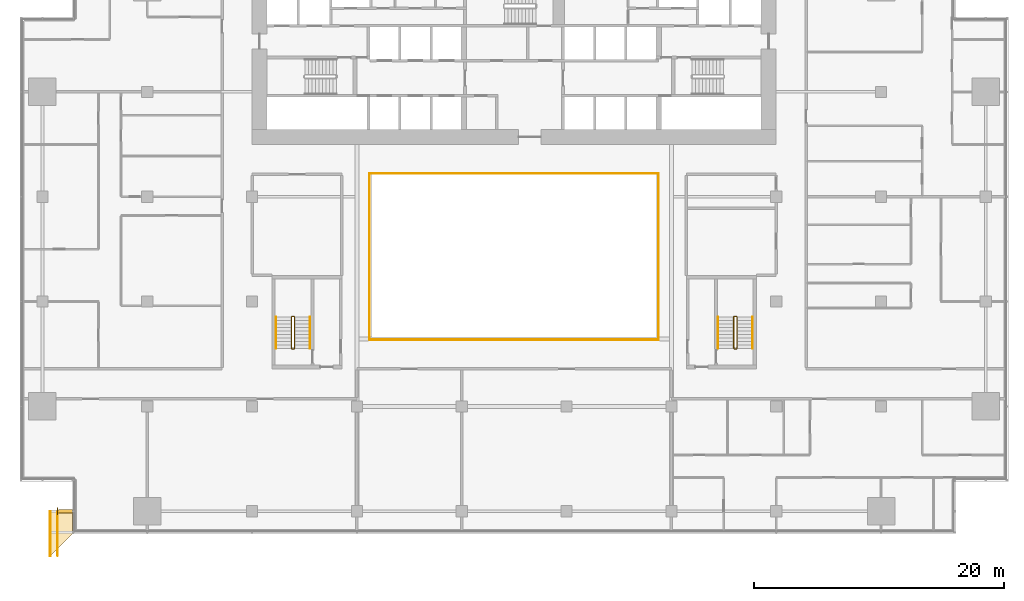
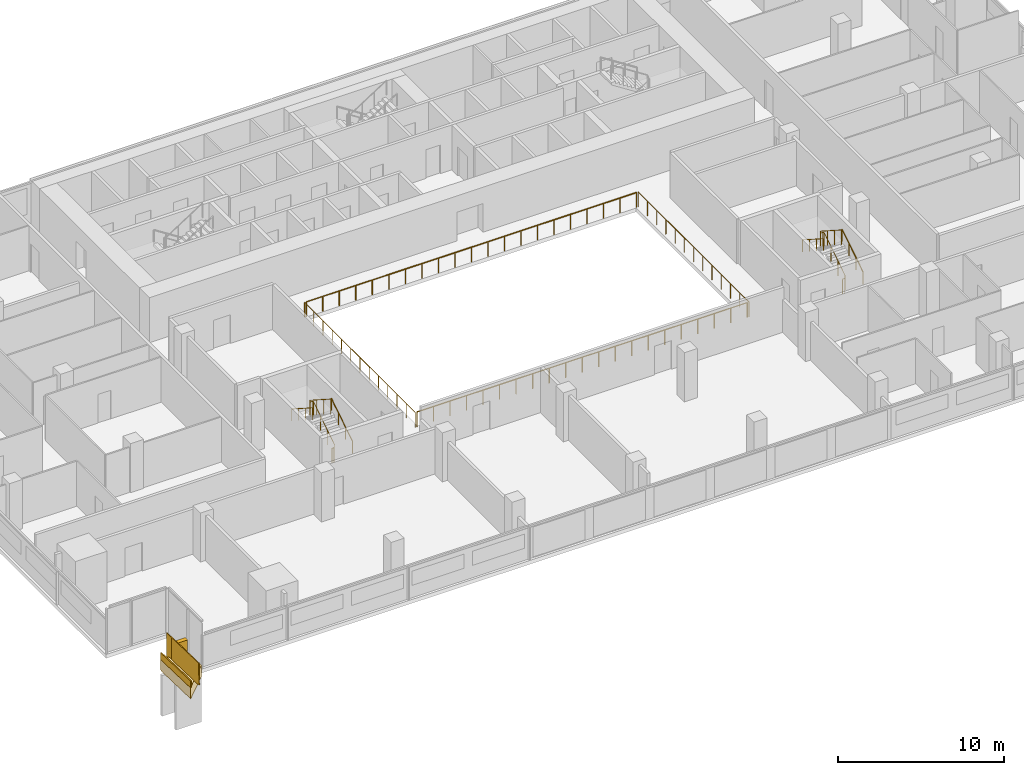
# One storey, part 24 of 25: 12 railings, 3 coverings.
"""IFC4 building model written with IfcOpenShell, lengths in metres."""

from ifc_helpers import new_model, si_unit, direction, frame, origin, origin_2d, place, context, subcontext, project, spatial, polyline, rectangle, circle, outline, extrude, material, layer, layer_set, type_object, element, save


model = new_model("IFC4")

# Units and contexts
model_context = context("Model", 3, precision=1e-05, world=origin(), true_north=direction((0.0, 1.0)))
body_context = subcontext(model_context, "Body", "Model", "MODEL_VIEW")
ifc_project = project(units=[si_unit("LENGTHUNIT", "METRE"), si_unit("AREAUNIT", "SQUARE_METRE"), si_unit("VOLUMEUNIT", "CUBIC_METRE"), si_unit("PLANEANGLEUNIT", "RADIAN"), si_unit("MASSUNIT", "GRAM", prefix="KILO")], contexts=[model_context])

# Site, building, storey
site_placement = place(None, origin())
site = spatial("IfcSite", under=ifc_project, at=site_placement, CompositionType="ELEMENT")
building_placement = place(site_placement, origin())
building = spatial("IfcBuilding", under=site, at=building_placement, Name="Saffron Gate Tower", CompositionType="ELEMENT")
storey_placement = place(building_placement, frame((0.0, 0.0, 80.39990234375)))
storey = spatial("IfcBuildingStorey", under=building, at=storey_placement, Name="L19", CompositionType="ELEMENT", Elevation=80.39990234375)

# Railings
ifc_material_1 = material(Name="Stainless steel and laminated glass", Category="steel")
railing_type_1 = type_object("IfcRailingType", Name="AG1 Atrium edge guard 1100", PredefinedType="GUARDRAIL", material=ifc_material_1)
railing_1_placement = place(storey_placement, frame((76.02001953125, 45.5400390625, 0.0)))
element("IfcRailing", 1, at=railing_1_placement, inside=storey, type_object=railing_type_1, Name="Guard A5-1", PredefinedType="GUARDRAIL", context=body_context, shape_type="SweptSolid", body=[
    extrude(circle(Radius=0.02392578125, at=origin_2d()), frame((0.0, 0.0, 1.076171875), z_axis=(0.0, 1.0, 0.0), x_axis=(-1.0, 0.0, 0.0)), (0.0, 0.0, 1.0), 13.320068359375),
    extrude(circle(Radius=0.02099609375, at=origin_2d()), origin(), (0.0, 0.0, 1.0), 1.052001953125),
    extrude(circle(Radius=0.02099609375, at=origin_2d()), frame((0.0, 1.110107421875, 0.0)), (0.0, 0.0, 1.0), 1.052001953125),
    extrude(circle(Radius=0.02099609375, at=origin_2d()), frame((0.0, 2.219970703125, 0.0)), (0.0, 0.0, 1.0), 1.052001953125),
    extrude(circle(Radius=0.02099609375, at=origin_2d()), frame((0.0, 3.330078125, 0.0)), (0.0, 0.0, 1.0), 1.052001953125),
    extrude(circle(Radius=0.02099609375, at=origin_2d()), frame((0.0, 4.43994140625, 0.0)), (0.0, 0.0, 1.0), 1.052001953125),
    extrude(circle(Radius=0.02099609375, at=origin_2d()), frame((0.0, 5.550048828125, 0.0)), (0.0, 0.0, 1.0), 1.052001953125),
    extrude(circle(Radius=0.02099609375, at=origin_2d()), frame((0.0, 6.66015625, 0.0)), (0.0, 0.0, 1.0), 1.052001953125),
    extrude(circle(Radius=0.02099609375, at=origin_2d()), frame((0.0, 7.77001953125, 0.0)), (0.0, 0.0, 1.0), 1.052001953125),
    extrude(circle(Radius=0.02099609375, at=origin_2d()), frame((0.0, 8.880126953125, 0.0)), (0.0, 0.0, 1.0), 1.052001953125),
    extrude(circle(Radius=0.02099609375, at=origin_2d()), frame((0.0, 9.989990234375, 0.0)), (0.0, 0.0, 1.0), 1.052001953125),
    extrude(circle(Radius=0.02099609375, at=origin_2d()), frame((0.0, 11.10009765625, 0.0)), (0.0, 0.0, 1.0), 1.052001953125),
    extrude(circle(Radius=0.02099609375, at=origin_2d()), frame((0.0, 12.2099609375, 0.0)), (0.0, 0.0, 1.0), 1.052001953125),
    extrude(circle(Radius=0.02099609375, at=origin_2d()), frame((0.0, 13.320068359375, 0.0)), (0.0, 0.0, 1.0), 1.052001953125),
])
railing_2_placement = place(storey_placement, frame((76.139892578125, 58.860107421875, 0.0)))
element("IfcRailing", 2, at=railing_2_placement, inside=storey, type_object=railing_type_1, Name="Guard A5-2", PredefinedType="GUARDRAIL", context=body_context, shape_type="SweptSolid", body=[
    extrude(circle(Radius=0.02392578125, at=origin_2d()), frame((0.0, 0.0, 1.076171875), z_axis=(1.0, 0.0, 0.0), x_axis=(0.0, 1.0, 0.0)), (0.0, 0.0, 1.0), 22.920166015625),
    extrude(circle(Radius=0.02099609375, at=origin_2d()), origin(), (0.0, 0.0, 1.0), 1.052001953125),
    extrude(circle(Radius=0.02099609375, at=origin_2d()), frame((1.14599609375, 0.0, 0.0)), (0.0, 0.0, 1.0), 1.052001953125),
    extrude(circle(Radius=0.02099609375, at=origin_2d()), frame((2.2919921875, 0.0, 0.0)), (0.0, 0.0, 1.0), 1.052001953125),
    extrude(circle(Radius=0.02099609375, at=origin_2d()), frame((3.43798828125, 0.0, 0.0)), (0.0, 0.0, 1.0), 1.052001953125),
    extrude(circle(Radius=0.02099609375, at=origin_2d()), frame((4.583984375, 0.0, 0.0)), (0.0, 0.0, 1.0), 1.052001953125),
    extrude(circle(Radius=0.02099609375, at=origin_2d()), frame((5.72998046875, 0.0, 0.0)), (0.0, 0.0, 1.0), 1.052001953125),
    extrude(circle(Radius=0.02099609375, at=origin_2d()), frame((6.8759765625, 0.0, 0.0)), (0.0, 0.0, 1.0), 1.052001953125),
    extrude(circle(Radius=0.02099609375, at=origin_2d()), frame((8.02197265625, 0.0, 0.0)), (0.0, 0.0, 1.0), 1.052001953125),
    extrude(circle(Radius=0.02099609375, at=origin_2d()), frame((9.16796875, 0.0, 0.0)), (0.0, 0.0, 1.0), 1.052001953125),
    extrude(circle(Radius=0.02099609375, at=origin_2d()), frame((10.31396484375, 0.0, 0.0)), (0.0, 0.0, 1.0), 1.052001953125),
    extrude(circle(Radius=0.02099609375, at=origin_2d()), frame((11.4599609375, 0.0, 0.0)), (0.0, 0.0, 1.0), 1.052001953125),
    extrude(circle(Radius=0.02099609375, at=origin_2d()), frame((12.606201171875, 0.0, 0.0)), (0.0, 0.0, 1.0), 1.052001953125),
    extrude(circle(Radius=0.02099609375, at=origin_2d()), frame((13.752197265625, 0.0, 0.0)), (0.0, 0.0, 1.0), 1.052001953125),
    extrude(circle(Radius=0.02099609375, at=origin_2d()), frame((14.898193359375, 0.0, 0.0)), (0.0, 0.0, 1.0), 1.052001953125),
    extrude(circle(Radius=0.02099609375, at=origin_2d()), frame((16.044189453125, 0.0, 0.0)), (0.0, 0.0, 1.0), 1.052001953125),
    extrude(circle(Radius=0.02099609375, at=origin_2d()), frame((17.190185546875, 0.0, 0.0)), (0.0, 0.0, 1.0), 1.052001953125),
    extrude(circle(Radius=0.02099609375, at=origin_2d()), frame((18.336181640625, 0.0, 0.0)), (0.0, 0.0, 1.0), 1.052001953125),
    extrude(circle(Radius=0.02099609375, at=origin_2d()), frame((19.482177734375, 0.0, 0.0)), (0.0, 0.0, 1.0), 1.052001953125),
    extrude(circle(Radius=0.02099609375, at=origin_2d()), frame((20.628173828125, 0.0, 0.0)), (0.0, 0.0, 1.0), 1.052001953125),
    extrude(circle(Radius=0.02099609375, at=origin_2d()), frame((21.774169921875, 0.0, 0.0)), (0.0, 0.0, 1.0), 1.052001953125),
    extrude(circle(Radius=0.02099609375, at=origin_2d()), frame((22.920166015625, 0.0, 0.0)), (0.0, 0.0, 1.0), 1.052001953125),
])
railing_3_placement = place(storey_placement, frame((99.179931640625, 58.860107421875, 0.0)))
element("IfcRailing", 3, at=railing_3_placement, inside=storey, type_object=railing_type_1, Name="Guard A5-3", PredefinedType="GUARDRAIL", context=body_context, shape_type="SweptSolid", body=[
    extrude(circle(Radius=0.02392578125, at=origin_2d()), frame((0.0, 0.0, 1.076171875), z_axis=(0.0, -1.0, 0.0), x_axis=(1.0, 0.0, 0.0)), (0.0, 0.0, 1.0), 13.320068359375),
    extrude(circle(Radius=0.02099609375, at=origin_2d()), origin(), (0.0, 0.0, 1.0), 1.052001953125),
    extrude(circle(Radius=0.02099609375, at=origin_2d()), frame((0.0, -1.110107421875, 0.0)), (0.0, 0.0, 1.0), 1.052001953125),
    extrude(circle(Radius=0.02099609375, at=origin_2d()), frame((0.0, -2.219970703125, 0.0)), (0.0, 0.0, 1.0), 1.052001953125),
    extrude(circle(Radius=0.02099609375, at=origin_2d()), frame((0.0, -3.330078125, 0.0)), (0.0, 0.0, 1.0), 1.052001953125),
    extrude(circle(Radius=0.02099609375, at=origin_2d()), frame((0.0, -4.43994140625, 0.0)), (0.0, 0.0, 1.0), 1.052001953125),
    extrude(circle(Radius=0.02099609375, at=origin_2d()), frame((0.0, -5.550048828125, 0.0)), (0.0, 0.0, 1.0), 1.052001953125),
    extrude(circle(Radius=0.02099609375, at=origin_2d()), frame((0.0, -6.66015625, 0.0)), (0.0, 0.0, 1.0), 1.052001953125),
    extrude(circle(Radius=0.02099609375, at=origin_2d()), frame((0.0, -7.77001953125, 0.0)), (0.0, 0.0, 1.0), 1.052001953125),
    extrude(circle(Radius=0.02099609375, at=origin_2d()), frame((0.0, -8.880126953125, 0.0)), (0.0, 0.0, 1.0), 1.052001953125),
    extrude(circle(Radius=0.02099609375, at=origin_2d()), frame((0.0, -9.989990234375, 0.0)), (0.0, 0.0, 1.0), 1.052001953125),
    extrude(circle(Radius=0.02099609375, at=origin_2d()), frame((0.0, -11.10009765625, 0.0)), (0.0, 0.0, 1.0), 1.052001953125),
    extrude(circle(Radius=0.02099609375, at=origin_2d()), frame((0.0, -12.2099609375, 0.0)), (0.0, 0.0, 1.0), 1.052001953125),
    extrude(circle(Radius=0.02099609375, at=origin_2d()), frame((0.0, -13.320068359375, 0.0)), (0.0, 0.0, 1.0), 1.052001953125),
])
railing_4_placement = place(storey_placement, frame((99.06005859375, 45.5400390625, 0.0)))
element("IfcRailing", 4, at=railing_4_placement, inside=storey, type_object=railing_type_1, Name="Guard A5-4", PredefinedType="GUARDRAIL", context=body_context, shape_type="SweptSolid", body=[
    extrude(circle(Radius=0.02392578125, at=origin_2d()), frame((0.0, 0.0, 1.076171875), z_axis=(-1.0, 0.0, 0.0), x_axis=(0.0, -1.0, 0.0)), (0.0, 0.0, 1.0), 22.920166015625),
    extrude(circle(Radius=0.02099609375, at=origin_2d()), origin(), (0.0, 0.0, 1.0), 1.052001953125),
    extrude(circle(Radius=0.02099609375, at=origin_2d()), frame((-1.14599609375, 0.0, 0.0)), (0.0, 0.0, 1.0), 1.052001953125),
    extrude(circle(Radius=0.02099609375, at=origin_2d()), frame((-2.2919921875, 0.0, 0.0)), (0.0, 0.0, 1.0), 1.052001953125),
    extrude(circle(Radius=0.02099609375, at=origin_2d()), frame((-3.43798828125, 0.0, 0.0)), (0.0, 0.0, 1.0), 1.052001953125),
    extrude(circle(Radius=0.02099609375, at=origin_2d()), frame((-4.583984375, 0.0, 0.0)), (0.0, 0.0, 1.0), 1.052001953125),
    extrude(circle(Radius=0.02099609375, at=origin_2d()), frame((-5.72998046875, 0.0, 0.0)), (0.0, 0.0, 1.0), 1.052001953125),
    extrude(circle(Radius=0.02099609375, at=origin_2d()), frame((-6.8759765625, 0.0, 0.0)), (0.0, 0.0, 1.0), 1.052001953125),
    extrude(circle(Radius=0.02099609375, at=origin_2d()), frame((-8.02197265625, 0.0, 0.0)), (0.0, 0.0, 1.0), 1.052001953125),
    extrude(circle(Radius=0.02099609375, at=origin_2d()), frame((-9.16796875, 0.0, 0.0)), (0.0, 0.0, 1.0), 1.052001953125),
    extrude(circle(Radius=0.02099609375, at=origin_2d()), frame((-10.31396484375, 0.0, 0.0)), (0.0, 0.0, 1.0), 1.052001953125),
    extrude(circle(Radius=0.02099609375, at=origin_2d()), frame((-11.4599609375, 0.0, 0.0)), (0.0, 0.0, 1.0), 1.052001953125),
    extrude(circle(Radius=0.02099609375, at=origin_2d()), frame((-12.606201171875, 0.0, 0.0)), (0.0, 0.0, 1.0), 1.052001953125),
    extrude(circle(Radius=0.02099609375, at=origin_2d()), frame((-13.752197265625, 0.0, 0.0)), (0.0, 0.0, 1.0), 1.052001953125),
    extrude(circle(Radius=0.02099609375, at=origin_2d()), frame((-14.898193359375, 0.0, 0.0)), (0.0, 0.0, 1.0), 1.052001953125),
    extrude(circle(Radius=0.02099609375, at=origin_2d()), frame((-16.044189453125, 0.0, 0.0)), (0.0, 0.0, 1.0), 1.052001953125),
    extrude(circle(Radius=0.02099609375, at=origin_2d()), frame((-17.190185546875, 0.0, 0.0)), (0.0, 0.0, 1.0), 1.052001953125),
    extrude(circle(Radius=0.02099609375, at=origin_2d()), frame((-18.336181640625, 0.0, 0.0)), (0.0, 0.0, 1.0), 1.052001953125),
    extrude(circle(Radius=0.02099609375, at=origin_2d()), frame((-19.482177734375, 0.0, 0.0)), (0.0, 0.0, 1.0), 1.052001953125),
    extrude(circle(Radius=0.02099609375, at=origin_2d()), frame((-20.628173828125, 0.0, 0.0)), (0.0, 0.0, 1.0), 1.052001953125),
    extrude(circle(Radius=0.02099609375, at=origin_2d()), frame((-21.774169921875, 0.0, 0.0)), (0.0, 0.0, 1.0), 1.052001953125),
    extrude(circle(Radius=0.02099609375, at=origin_2d()), frame((-22.920166015625, 0.0, 0.0)), (0.0, 0.0, 1.0), 1.052001953125),
])
railing_type_2 = type_object("IfcRailingType", Name="CR1 Stair guard 1100", PredefinedType="GUARDRAIL", material=ifc_material_1)
railing_5_placement = place(storey_placement, frame((69.800048828125, 44.800048828125, 0.0)))
element("IfcRailing", 5, at=railing_5_placement, inside=storey, type_object=railing_type_2, Name="L19 ST-D stair guard 1", PredefinedType="GUARDRAIL", context=body_context, shape_type="SweptSolid", body=[
    extrude(circle(Radius=0.02392578125, at=origin_2d()), frame((0.0, 0.0, 1.076171875), z_axis=(1.0, 0.0, 0.0), x_axis=(0.0, 1.0, 0.0)), (0.0, 0.0, 1.0), 0.14990234375),
    extrude(circle(Radius=0.02392578125, at=origin_2d()), frame((0.14990234375, 0.0, 1.076171875), z_axis=(0.258543844998, 0.258543844998, 0.930757841991), x_axis=(-0.707106781187, 0.707106781187, 0.0)), (0.0, 0.0, 1.0), 0.193603515625),
    extrude(circle(Radius=0.02392578125, at=origin_2d()), frame((0.199951171875, 0.050048828125, 1.25634765625), z_axis=(0.0, 0.841199657755, 0.540724639528), x_axis=(-1.0, 0.0, 0.0)), (0.0, 0.0, 1.0), 2.995849609375),
    extrude(circle(Radius=0.02392578125, at=origin_2d()), frame((0.199951171875, 2.570068359375, 2.8759765625), z_axis=(-0.708833529934, 0.705375805398, 0.0), x_axis=(-0.705375805398, -0.708833529934, 0.0)), (0.0, 0.0, 1.0), 0.070556640625),
    extrude(circle(Radius=0.02392578125, at=origin_2d()), frame((0.14990234375, 2.619873046875, 2.8759765625), z_axis=(-1.0, 0.0, 0.0), x_axis=(0.0, -1.0, 0.0)), (0.0, 0.0, 1.0), 0.14990234375),
    extrude(circle(Radius=0.02392578125, at=origin_2d()), frame((0.0, 2.619873046875, 2.8759765625), z_axis=(-0.258932105505, -0.257669022063, 0.930892496375), x_axis=(0.705375805398, -0.708833529934, 0.0)), (0.0, 0.0, 1.0), 0.193359375),
    extrude(circle(Radius=0.02392578125, at=origin_2d()), frame((-0.050048828125, 2.570068359375, 3.05615234375), z_axis=(0.0, -0.841162588446, 0.540782303519), x_axis=(1.0, 0.0, 0.0)), (0.0, 0.0, 1.0), 2.995849609375),
    extrude(circle(Radius=0.02099609375, at=origin_2d()), origin(), (0.0, 0.0, 1.0), 1.052001953125),
    extrude(circle(Radius=0.02099609375, at=origin_2d()), frame((0.14990234375, 0.0, 0.0)), (0.0, 0.0, 1.0), 1.052001953125),
    extrude(circle(Radius=0.02099609375, at=origin_2d()), frame((0.199951171875, 0.050048828125, 0.18017578125)), (0.0, 0.0, 1.0), 1.052001953125),
    extrude(circle(Radius=0.02099609375, at=origin_2d()), frame((0.199951171875, 0.89013671875, 0.72021484375)), (0.0, 0.0, 1.0), 1.052001953125),
    extrude(circle(Radius=0.02099609375, at=origin_2d()), frame((0.199951171875, 1.72998046875, 1.260009765625)), (0.0, 0.0, 1.0), 1.052001953125),
    extrude(circle(Radius=0.02099609375, at=origin_2d()), frame((0.199951171875, 2.570068359375, 1.800048828125)), (0.0, 0.0, 1.0), 1.052001953125),
    extrude(circle(Radius=0.02099609375, at=origin_2d()), frame((0.14990234375, 2.619873046875, 1.800048828125)), (0.0, 0.0, 1.0), 1.052001953125),
    extrude(circle(Radius=0.02099609375, at=origin_2d()), frame((0.0, 2.619873046875, 1.800048828125)), (0.0, 0.0, 1.0), 1.052001953125),
    extrude(circle(Radius=0.02099609375, at=origin_2d()), frame((-0.050048828125, 2.570068359375, 1.97998046875)), (0.0, 0.0, 1.0), 1.052001953125),
    extrude(circle(Radius=0.02099609375, at=origin_2d()), frame((-0.050048828125, 1.72998046875, 2.52001953125)), (0.0, 0.0, 1.0), 1.052001953125),
    extrude(circle(Radius=0.02099609375, at=origin_2d()), frame((-0.050048828125, 0.89013671875, 3.06005859375)), (0.0, 0.0, 1.0), 1.052001953125),
    extrude(circle(Radius=0.02099609375, at=origin_2d()), frame((-0.050048828125, 0.050048828125, 3.60009765625)), (0.0, 0.0, 1.0), 1.052001953125),
])
railing_6_placement = place(storey_placement, frame((105.25, 44.800048828125, 0.0)))
element("IfcRailing", 6, at=railing_6_placement, inside=storey, type_object=railing_type_2, Name="L19 ST-E stair guard 1", PredefinedType="GUARDRAIL", context=body_context, shape_type="SweptSolid", body=[
    extrude(circle(Radius=0.02392578125, at=origin_2d()), frame((0.0, 0.0, 1.076171875), z_axis=(1.0, 0.0, 0.0), x_axis=(0.0, 1.0, 0.0)), (0.0, 0.0, 1.0), 0.14990234375),
    extrude(circle(Radius=0.02392578125, at=origin_2d()), frame((0.14990234375, 0.0, 1.076171875), z_axis=(0.258543844998, 0.258543844998, 0.930757841991), x_axis=(-0.707106781187, 0.707106781187, 0.0)), (0.0, 0.0, 1.0), 0.193603515625),
    extrude(circle(Radius=0.02392578125, at=origin_2d()), frame((0.199951171875, 0.050048828125, 1.25634765625), z_axis=(0.0, 0.841199657755, 0.540724639528), x_axis=(-1.0, 0.0, 0.0)), (0.0, 0.0, 1.0), 2.995849609375),
    extrude(circle(Radius=0.02392578125, at=origin_2d()), frame((0.199951171875, 2.570068359375, 2.8759765625), z_axis=(-0.708833529934, 0.705375805398, 0.0), x_axis=(-0.705375805398, -0.708833529934, 0.0)), (0.0, 0.0, 1.0), 0.070556640625),
    extrude(circle(Radius=0.02392578125, at=origin_2d()), frame((0.14990234375, 2.619873046875, 2.8759765625), z_axis=(-1.0, 0.0, 0.0), x_axis=(0.0, -1.0, 0.0)), (0.0, 0.0, 1.0), 0.14990234375),
    extrude(circle(Radius=0.02392578125, at=origin_2d()), frame((0.0, 2.619873046875, 2.8759765625), z_axis=(-0.258932105505, -0.257669022063, 0.930892496375), x_axis=(0.705375805398, -0.708833529934, 0.0)), (0.0, 0.0, 1.0), 0.193359375),
    extrude(circle(Radius=0.02392578125, at=origin_2d()), frame((-0.050048828125, 2.570068359375, 3.05615234375), z_axis=(0.0, -0.841162588446, 0.540782303519), x_axis=(1.0, 0.0, 0.0)), (0.0, 0.0, 1.0), 2.995849609375),
    extrude(circle(Radius=0.02099609375, at=origin_2d()), origin(), (0.0, 0.0, 1.0), 1.052001953125),
    extrude(circle(Radius=0.02099609375, at=origin_2d()), frame((0.14990234375, 0.0, 0.0)), (0.0, 0.0, 1.0), 1.052001953125),
    extrude(circle(Radius=0.02099609375, at=origin_2d()), frame((0.199951171875, 0.050048828125, 0.18017578125)), (0.0, 0.0, 1.0), 1.052001953125),
    extrude(circle(Radius=0.02099609375, at=origin_2d()), frame((0.199951171875, 0.89013671875, 0.72021484375)), (0.0, 0.0, 1.0), 1.052001953125),
    extrude(circle(Radius=0.02099609375, at=origin_2d()), frame((0.199951171875, 1.72998046875, 1.260009765625)), (0.0, 0.0, 1.0), 1.052001953125),
    extrude(circle(Radius=0.02099609375, at=origin_2d()), frame((0.199951171875, 2.570068359375, 1.800048828125)), (0.0, 0.0, 1.0), 1.052001953125),
    extrude(circle(Radius=0.02099609375, at=origin_2d()), frame((0.14990234375, 2.619873046875, 1.800048828125)), (0.0, 0.0, 1.0), 1.052001953125),
    extrude(circle(Radius=0.02099609375, at=origin_2d()), frame((0.0, 2.619873046875, 1.800048828125)), (0.0, 0.0, 1.0), 1.052001953125),
    extrude(circle(Radius=0.02099609375, at=origin_2d()), frame((-0.050048828125, 2.570068359375, 1.97998046875)), (0.0, 0.0, 1.0), 1.052001953125),
    extrude(circle(Radius=0.02099609375, at=origin_2d()), frame((-0.050048828125, 1.72998046875, 2.52001953125)), (0.0, 0.0, 1.0), 1.052001953125),
    extrude(circle(Radius=0.02099609375, at=origin_2d()), frame((-0.050048828125, 0.89013671875, 3.06005859375)), (0.0, 0.0, 1.0), 1.052001953125),
    extrude(circle(Radius=0.02099609375, at=origin_2d()), frame((-0.050048828125, 0.050048828125, 3.60009765625)), (0.0, 0.0, 1.0), 1.052001953125),
])
ifc_material_2 = material(Name="Stainless steel", Category="steel")
railing_type_3 = type_object("IfcRailingType", Name="CR2 Stair handrail 900", PredefinedType="HANDRAIL", material=ifc_material_2)
railing_7_placement = place(storey_placement, frame((71.25, 44.85009765625, 0.18017578125)))
element("IfcRailing", 7, at=railing_7_placement, inside=storey, type_object=railing_type_3, Name="L19 ST-D stair handrail 1", PredefinedType="HANDRAIL", context=body_context, shape_type="SweptSolid", body=[
    extrude(circle(Radius=0.02392578125, at=origin_2d()), frame((0.0, 0.0, 0.8759765625), z_axis=(0.0, 0.841199657755, 0.540724639528), x_axis=(-1.0, 0.0, 0.0)), (0.0, 0.0, 1.0), 2.995849609375),
    extrude(circle(Radius=0.02099609375, at=origin_2d()), origin(), (0.0, 0.0, 1.0), 0.851806640625),
    extrude(circle(Radius=0.02099609375, at=origin_2d()), frame((0.0, 0.840087890625, 0.5400390625)), (0.0, 0.0, 1.0), 0.851806640625),
    extrude(circle(Radius=0.02099609375, at=origin_2d()), frame((0.0, 1.679931640625, 1.079833984375)), (0.0, 0.0, 1.0), 0.851806640625),
    extrude(circle(Radius=0.02099609375, at=origin_2d()), frame((0.0, 2.52001953125, 1.619873046875)), (0.0, 0.0, 1.0), 0.851806640625),
])
railing_8_placement = place(storey_placement, frame((68.5, 47.3701171875, 1.97998046875)))
element("IfcRailing", 8, at=railing_8_placement, inside=storey, type_object=railing_type_3, Name="L19 ST-D stair handrail 2", PredefinedType="HANDRAIL", context=body_context, shape_type="SweptSolid", body=[
    extrude(circle(Radius=0.02392578125, at=origin_2d()), frame((0.0, 0.0, 0.8759765625), z_axis=(0.0, -0.841162588446, 0.540782303519), x_axis=(1.0, 0.0, 0.0)), (0.0, 0.0, 1.0), 2.995849609375),
    extrude(circle(Radius=0.02099609375, at=origin_2d()), origin(), (0.0, 0.0, 1.0), 0.851806640625),
    extrude(circle(Radius=0.02099609375, at=origin_2d()), frame((0.0, -0.840087890625, 0.5400390625)), (0.0, 0.0, 1.0), 0.851806640625),
    extrude(circle(Radius=0.02099609375, at=origin_2d()), frame((0.0, -1.679931640625, 1.080078125)), (0.0, 0.0, 1.0), 0.851806640625),
    extrude(circle(Radius=0.02099609375, at=origin_2d()), frame((0.0, -2.52001953125, 1.6201171875)), (0.0, 0.0, 1.0), 0.851806640625),
])
railing_9_placement = place(storey_placement, frame((106.699951171875, 44.85009765625, 0.18017578125)))
element("IfcRailing", 9, at=railing_9_placement, inside=storey, type_object=railing_type_3, Name="L19 ST-E stair handrail 1", PredefinedType="HANDRAIL", context=body_context, shape_type="SweptSolid", body=[
    extrude(circle(Radius=0.02392578125, at=origin_2d()), frame((0.0, 0.0, 0.8759765625), z_axis=(0.0, 0.841199657755, 0.540724639528), x_axis=(-1.0, 0.0, 0.0)), (0.0, 0.0, 1.0), 2.995849609375),
    extrude(circle(Radius=0.02099609375, at=origin_2d()), origin(), (0.0, 0.0, 1.0), 0.851806640625),
    extrude(circle(Radius=0.02099609375, at=origin_2d()), frame((0.0, 0.840087890625, 0.5400390625)), (0.0, 0.0, 1.0), 0.851806640625),
    extrude(circle(Radius=0.02099609375, at=origin_2d()), frame((0.0, 1.679931640625, 1.079833984375)), (0.0, 0.0, 1.0), 0.851806640625),
    extrude(circle(Radius=0.02099609375, at=origin_2d()), frame((0.0, 2.52001953125, 1.619873046875)), (0.0, 0.0, 1.0), 0.851806640625),
])
railing_10_placement = place(storey_placement, frame((103.949951171875, 47.3701171875, 1.97998046875)))
element("IfcRailing", 10, at=railing_10_placement, inside=storey, type_object=railing_type_3, Name="L19 ST-E stair handrail 2", PredefinedType="HANDRAIL", context=body_context, shape_type="SweptSolid", body=[
    extrude(circle(Radius=0.02392578125, at=origin_2d()), frame((0.0, 0.0, 0.8759765625), z_axis=(0.0, -0.841162588446, 0.540782303519), x_axis=(1.0, 0.0, 0.0)), (0.0, 0.0, 1.0), 2.995849609375),
    extrude(circle(Radius=0.02099609375, at=origin_2d()), origin(), (0.0, 0.0, 1.0), 0.851806640625),
    extrude(circle(Radius=0.02099609375, at=origin_2d()), frame((0.0, -0.840087890625, 0.5400390625)), (0.0, 0.0, 1.0), 0.851806640625),
    extrude(circle(Radius=0.02099609375, at=origin_2d()), frame((0.0, -1.679931640625, 1.080078125)), (0.0, 0.0, 1.0), 0.851806640625),
    extrude(circle(Radius=0.02099609375, at=origin_2d()), frame((0.0, -2.52001953125, 1.6201171875)), (0.0, 0.0, 1.0), 0.851806640625),
])

# Coverings
ifc_material_3 = material(Name="Timber, thermally modified ash", Category="wood")
ifc_layer_1 = layer(ifc_material_3, 0.800048828125)
ifc_layer_set_1 = layer_set([ifc_layer_1], Name="LD1 ledge timber")
covering_type_1 = type_object("IfcCoveringType", Name="LD1 ledge timber", PredefinedType="CLADDING", material=ifc_layer_set_1)
covering_1_placement = place(storey_placement, frame((52.199951171875, 31.800048828125, 0.2490234375), z_axis=(-4.5191205e-05, 0.028831989003, 0.999584270769), x_axis=(2.041e-09, -0.999584271789, 0.028831989032)))
element("IfcCovering", 11, at=covering_1_placement, inside=storey, type_object=covering_type_1, Name="LEDGE", PredefinedType="CLADDING", context=body_context, shape_type="SweptSolid", body=[
    extrude(outline(polyline([(0.0, 0.0), (1.8007998167885757, 0.0), (3.6015925908427215, -1.800048837315338), (-3.6746077267916745e-09, -1.80004882628693), (0.0, 0.0)])), origin(), (0.0, 0.0, -1.0), 0.800048828125),
])
ifc_layer_2 = layer(ifc_material_3, 0.080078125)
ifc_layer_set_2 = layer_set([ifc_layer_2], Name="LD2 ledge planter trough")
covering_type_2 = type_object("IfcCoveringType", Name="LD2 ledge planter trough", PredefinedType="CLADDING", material=ifc_layer_set_2)
covering_2_placement = place(storey_placement, frame((50.39990234375, 31.800048828125, 0.2490234375), z_axis=(-1.0, 0.0, 0.0), x_axis=(0.0, -0.99958492274, 0.028809412191)))
element("IfcCovering", 12, at=covering_2_placement, inside=storey, type_object=covering_type_2, Name="LEDGE planter trough", PredefinedType="CLADDING", context=body_context, shape_type="SweptSolid", body=[
    extrude(outline(polyline([(0.0, 0.0), (3.601592595435983, 0.0), (3.6159973015313485, 0.4997924613700232), (0.014404706095365512, 0.4997924613700232), (0.0, 0.0)])), origin(), (0.0, 0.0, -1.0), 0.080078125),
])
ifc_layer_3 = layer(ifc_material_3, 0.300048828125)
ifc_layer_set_3 = layer_set([ifc_layer_3], Name="LD3 ledge riser fin")
covering_type_3 = type_object("IfcCoveringType", Name="LD3 ledge riser fin", PredefinedType="CLADDING", material=ifc_layer_set_3)
covering_3_placement = place(storey_placement, frame((51.639892578125, 31.800048828125, -0.893798828125), z_axis=(0.0, 0.0, 1.0), x_axis=(0.0, -1.0, 0.0)))
element("IfcCovering", 13, at=covering_3_placement, inside=storey, type_object=covering_type_3, Name="LEDGE riser fin", PredefinedType="CLADDING", context=body_context, shape_type="SweptSolid", body=[
    extrude(rectangle(XDim=0.300048828125, YDim=1.1201171875, at=origin_2d()), origin(), (0.0, 0.0, 1.0), 2.04296875),
])

# Railings
railing_type_4 = type_object("IfcRailingType", Name="LG1 ledge balustrade", PredefinedType="BALUSTRADE", material=ifc_material_3)
railing_11_placement = place(storey_placement, frame((51.0, 31.800048828125, 0.2490234375)))
element("IfcRailing", 14, at=railing_11_placement, inside=storey, type_object=railing_type_4, Name="LEDGE BALUSTRADE", PredefinedType="BALUSTRADE", context=body_context, shape_type="SweptSolid", body=[
    extrude(rectangle(XDim=0.06005859375, YDim=1.60009765625, at=origin_2d()), frame((0.0, 0.0, 0.800048828125), z_axis=(0.0, -0.99958492274, 0.028809412191), x_axis=(1.0, 0.0, 0.0)), (0.0, 0.0, 1.0), 3.6015625),
])
railing_12_placement = place(storey_placement, frame((51.0, 32.10009765625, -0.093994140625)))
element("IfcRailing", 15, at=railing_12_placement, inside=storey, type_object=railing_type_4, Name="LEDGE BALUSTRADE", PredefinedType="BALUSTRADE", context=body_context, shape_type="SweptSolid", body=[
    extrude(rectangle(XDim=0.06005859375, YDim=1.943115234375, at=origin_2d()), frame((0.0, 0.0, 0.9716796875), z_axis=(0.0, -1.0, 0.0), x_axis=(1.0, 0.0, 0.0)), (0.0, 0.0, 1.0), 0.60009765625),
])

save(model, "model.ifc")
